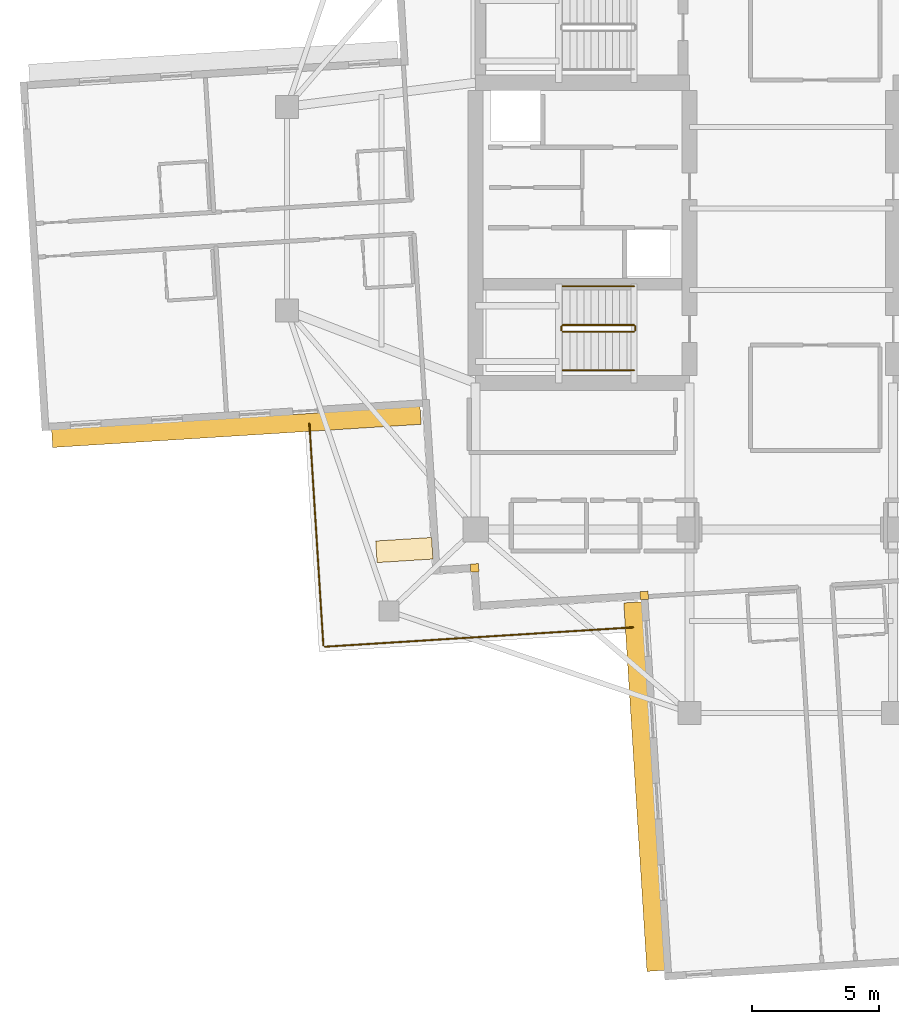
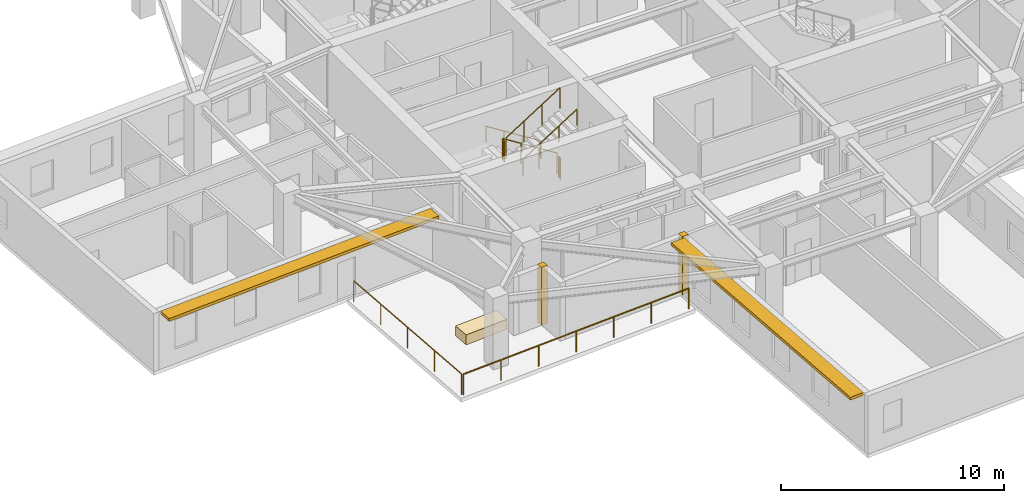
# One storey, part 9 of 12: 8 railings, 3 coverings, 2 shading devices.
"""IFC4 building model written with IfcOpenShell, lengths in metres."""

from ifc_helpers import new_model, si_unit, direction, frame, origin, origin_2d, place, context, subcontext, project, spatial, rectangle, circle, extrude, material, layer, layer_set, type_object, element, save


model = new_model("IFC4")

# Units and contexts
model_context = context("Model", 3, precision=1e-05, world=origin(), true_north=direction((0.0, 1.0)))
body_context = subcontext(model_context, "Body", "Model", "MODEL_VIEW")
ifc_project = project(units=[si_unit("LENGTHUNIT", "METRE"), si_unit("AREAUNIT", "SQUARE_METRE"), si_unit("VOLUMEUNIT", "CUBIC_METRE"), si_unit("PLANEANGLEUNIT", "RADIAN"), si_unit("MASSUNIT", "GRAM", prefix="KILO")], contexts=[model_context])

# Site, building, storey
site_placement = place(None, origin())
site = spatial("IfcSite", under=ifc_project, at=site_placement, CompositionType="ELEMENT")
building_placement = place(site_placement, origin())
building = spatial("IfcBuilding", under=site, at=building_placement, Name="Qingluan Cross Belvedere", CompositionType="ELEMENT")
storey_placement = place(building_placement, frame((0.0, 0.0, 209.10009765625)))
storey = spatial("IfcBuildingStorey", under=building, at=storey_placement, Name="L52", CompositionType="ELEMENT", Elevation=209.10009765625)

# Coverings
ifc_material_1 = material(Name="Precast concrete C45", Category="concrete")
ifc_layer_1 = layer(ifc_material_1, 0.1201171875, Name="ConcreteSpandrelCladding_120")
ifc_layer_set_1 = layer_set([ifc_layer_1], Name="Precast concrete C45")
covering_type_1 = type_object("IfcCoveringType", Name="ConcreteSpandrelCladding_120", PredefinedType="CLADDING", material=ifc_layer_set_1)
for number, where, z_axis, x_axis, name in (
    (1, (-12.438720703125, -14.10888671875, 0.0), (0.0, 0.0, 1.0), (0.998026728428, 0.062790519529, 0.0), "Corner closure L52-SW1"),
    (2, (-5.77734375, -15.192626953125, 0.0), (0.0, 0.0, 1.0), (0.998026728428, 0.062790519529, 0.0), "Corner closure L52-SW2"),
):
    element("IfcCovering", number, at=place(storey_placement, frame(where, z_axis=z_axis, x_axis=x_axis)), inside=storey, type_object=covering_type_1, Name=name, PredefinedType="CLADDING", context=body_context, shape_type="SweptSolid", body=[
        extrude(rectangle(XDim=0.320068359375, YDim=0.320068359375, at=origin_2d()), origin(), (0.0, 0.0, 1.0), 3.179931640625),
    ])

# Shading devices
ifc_material_2 = material(Name="Precast concrete C45", Category="concrete")
ifc_layer_2 = layer(ifc_material_2, 0.139892578125, Name="ConcreteSunshadeBand_700")
ifc_layer_set_2 = layer_set([ifc_layer_2], Name="Precast concrete C45")
shading_device_type = type_object("IfcShadingDeviceType", Name="ConcreteSunshadeBand_700", PredefinedType="USERDEFINED", material=ifc_layer_set_2)
for number, where, z_axis, x_axis, name in (
    (3, (-21.794677734375, -8.575439453125, 3.0), (0.0, 0.0, 1.0), (0.99802639199, 0.062795866837, 0.0), "Concrete SUNSHADE L52-WB"),
    (4, (-5.776123046875, -22.697509765625, 3.0), (0.0, 0.0, 1.0), (0.062789090939, -0.998026818306, 0.0), "Concrete SUNSHADE L52-SA"),
):
    element("IfcShadingDevice", number, at=place(storey_placement, frame(where, z_axis=z_axis, x_axis=x_axis)), inside=storey, type_object=shading_device_type, Name=name, ObjectType="SUNSHADE", PredefinedType="USERDEFINED", context=body_context, shape_type="SweptSolid", body=[
        extrude(rectangle(XDim=14.5, YDim=0.699951171875, at=origin_2d()), origin(), (0.0, 0.0, 1.0), 0.159912109375),
    ])

# Railings
ifc_material_3 = material(Name="Brushed stainless steel tubular handrail", Category="steel")
railing_type_1 = type_object("IfcRailingType", Name="StairPitchHandrail_900", PredefinedType="HANDRAIL", material=ifc_material_3)
railing_1_placement = place(storey_placement, frame((-6.179931640625, -3.050048828125, 0.17724609375)))
element("IfcRailing", 5, at=railing_1_placement, inside=storey, type_object=railing_type_1, Name="L52 ST1 stair handrail 1", PredefinedType="HANDRAIL", context=body_context, shape_type="SweptSolid", body=[
    extrude(circle(Radius=0.02392578125, at=origin_2d()), frame((0.0, 0.0, 0.8759765625), z_axis=(-0.844908973607, 0.0, 0.534910110503), x_axis=(0.0, -1.0, 0.0)), (0.0, 0.0, 1.0), 3.31396484375),
    extrude(circle(Radius=0.02099609375, at=origin_2d()), origin(), (0.0, 0.0, 1.0), 0.851806640625),
    extrude(circle(Radius=0.02099609375, at=origin_2d()), frame((-0.933349609375, 0.0, 0.5908203125)), (0.0, 0.0, 1.0), 0.851806640625),
    extrude(circle(Radius=0.02099609375, at=origin_2d()), frame((-1.86669921875, 0.0, 1.181884765625)), (0.0, 0.0, 1.0), 0.851806640625),
    extrude(circle(Radius=0.02099609375, at=origin_2d()), frame((-2.800048828125, 0.0, 1.772705078125)), (0.0, 0.0, 1.0), 0.851806640625),
])
railing_2_placement = place(storey_placement, frame((-8.97998046875, -6.35009765625, 2.127197265625)))
element("IfcRailing", 6, at=railing_2_placement, inside=storey, type_object=railing_type_1, Name="L52 ST1 stair handrail 2", PredefinedType="HANDRAIL", context=body_context, shape_type="SweptSolid", body=[
    extrude(circle(Radius=0.02392578125, at=origin_2d()), frame((0.0, 0.0, 0.8759765625), z_axis=(0.844908973607, 0.0, 0.534910110503), x_axis=(0.0, 1.0, 0.0)), (0.0, 0.0, 1.0), 3.31396484375),
    extrude(circle(Radius=0.02099609375, at=origin_2d()), origin(), (0.0, 0.0, 1.0), 0.851806640625),
    extrude(circle(Radius=0.02099609375, at=origin_2d()), frame((0.933349609375, 0.0, 0.5908203125)), (0.0, 0.0, 1.0), 0.851806640625),
    extrude(circle(Radius=0.02099609375, at=origin_2d()), frame((1.86669921875, 0.0, 1.181884765625)), (0.0, 0.0, 1.0), 0.851806640625),
    extrude(circle(Radius=0.02099609375, at=origin_2d()), frame((2.800048828125, 0.0, 1.772705078125)), (0.0, 0.0, 1.0), 0.851806640625),
])
ifc_material_4 = material(Name="Painted steel stair well guard", Category="steel")
railing_type_2 = type_object("IfcRailingType", Name="StairWellGuard_1150", PredefinedType="BALUSTRADE", material=ifc_material_4)
railing_3_placement = place(storey_placement, frame((-6.179931640625, -4.570068359375, 0.17724609375)))
element("IfcRailing", 7, at=railing_3_placement, inside=storey, type_object=railing_type_2, Name="L52 ST1 stair guard 1", PredefinedType="BALUSTRADE", context=body_context, shape_type="SweptSolid", body=[
    extrude(circle(Radius=0.02392578125, at=origin_2d()), frame((0.0, 0.0, 1.1259765625), z_axis=(-0.844908973607, 0.0, 0.534910110503), x_axis=(0.0, -1.0, 0.0)), (0.0, 0.0, 1.0), 3.31396484375),
    extrude(circle(Radius=0.02099609375, at=origin_2d()), origin(), (0.0, 0.0, 1.0), 1.101806640625),
    extrude(circle(Radius=0.02099609375, at=origin_2d()), frame((-0.933349609375, 0.0, 0.5908203125)), (0.0, 0.0, 1.0), 1.101806640625),
    extrude(circle(Radius=0.02099609375, at=origin_2d()), frame((-1.86669921875, 0.0, 1.181884765625)), (0.0, 0.0, 1.0), 1.101806640625),
    extrude(circle(Radius=0.02099609375, at=origin_2d()), frame((-2.800048828125, 0.0, 1.772705078125)), (0.0, 0.0, 1.0), 1.101806640625),
])
railing_4_placement = place(storey_placement, frame((-9.030029296875, -4.6201171875, 1.949951171875)))
element("IfcRailing", 8, at=railing_4_placement, inside=storey, type_object=railing_type_2, Name="L52 ST1 stair guard 2", PredefinedType="BALUSTRADE", context=body_context, shape_type="SweptSolid", body=[
    extrude(circle(Radius=0.02392578125, at=origin_2d()), frame((0.0, 0.0, 1.1259765625), z_axis=(0.0, -1.0, 0.0), x_axis=(1.0, 0.0, 0.0)), (0.0, 0.0, 1.0), 0.159912109375),
    extrude(circle(Radius=0.02099609375, at=origin_2d()), origin(), (0.0, 0.0, 1.0), 1.101806640625),
    extrude(circle(Radius=0.02099609375, at=origin_2d()), frame((0.0, -0.159912109375, 0.0)), (0.0, 0.0, 1.0), 1.101806640625),
])
railing_5_placement = place(storey_placement, frame((-8.97998046875, -4.830078125, 2.127197265625)))
element("IfcRailing", 9, at=railing_5_placement, inside=storey, type_object=railing_type_2, Name="L52 ST1 stair guard 3", PredefinedType="BALUSTRADE", context=body_context, shape_type="SweptSolid", body=[
    extrude(circle(Radius=0.02392578125, at=origin_2d()), frame((0.0, 0.0, 1.1259765625), z_axis=(0.844908973607, 0.0, 0.534910110503), x_axis=(0.0, 1.0, 0.0)), (0.0, 0.0, 1.0), 3.31396484375),
    extrude(circle(Radius=0.02099609375, at=origin_2d()), origin(), (0.0, 0.0, 1.0), 1.101806640625),
    extrude(circle(Radius=0.02099609375, at=origin_2d()), frame((0.933349609375, 0.0, 0.5908203125)), (0.0, 0.0, 1.0), 1.101806640625),
    extrude(circle(Radius=0.02099609375, at=origin_2d()), frame((1.86669921875, 0.0, 1.181884765625)), (0.0, 0.0, 1.0), 1.101806640625),
    extrude(circle(Radius=0.02099609375, at=origin_2d()), frame((2.800048828125, 0.0, 1.772705078125)), (0.0, 0.0, 1.0), 1.101806640625),
])
railing_6_placement = place(storey_placement, frame((-6.1298828125, -4.6201171875, 0.0)))
element("IfcRailing", 10, at=railing_6_placement, inside=storey, type_object=railing_type_2, Name="L52 ST1 stair guard 4", PredefinedType="BALUSTRADE", context=body_context, shape_type="SweptSolid", body=[
    extrude(circle(Radius=0.02392578125, at=origin_2d()), frame((0.0, 0.0, 1.1259765625), z_axis=(0.0, -1.0, 0.0), x_axis=(1.0, 0.0, 0.0)), (0.0, 0.0, 1.0), 0.159912109375),
    extrude(circle(Radius=0.02099609375, at=origin_2d()), origin(), (0.0, 0.0, 1.0), 1.101806640625),
    extrude(circle(Radius=0.02099609375, at=origin_2d()), frame((0.0, -0.159912109375, 0.0)), (0.0, 0.0, 1.0), 1.101806640625),
])
ifc_material_5 = material(Name="Laminated glass and stainless steel balustrade", Category="steel")
railing_type_3 = type_object("IfcRailingType", Name="TerraceGuardBalustrade_1150", PredefinedType="BALUSTRADE", material=ifc_material_5)
railing_7_placement = place(storey_placement, frame((-6.2197265625, -16.443115234375, 0.0)))
element("IfcRailing", 11, at=railing_7_placement, inside=storey, type_object=railing_type_3, Name="Terrace guard L52-1", PredefinedType="BALUSTRADE", context=body_context, shape_type="SweptSolid", body=[
    extrude(circle(Radius=0.02392578125, at=origin_2d()), frame((0.0, 0.0, 1.1259765625), z_axis=(-0.998026943148, -0.062787106563, 0.0), x_axis=(0.062787106563, -0.998026943148, 0.0)), (0.0, 0.0, 1.0), 12.1201171875),
    extrude(circle(Radius=0.02099609375, at=origin_2d()), origin(), (0.0, 0.0, 1.0), 1.101806640625),
    extrude(circle(Radius=0.02099609375, at=origin_2d()), frame((-2.01611328125, -0.126953125, 0.0)), (0.0, 0.0, 1.0), 1.101806640625),
    extrude(circle(Radius=0.02099609375, at=origin_2d()), frame((-4.031982421875, -0.253662109375, 0.0)), (0.0, 0.0, 1.0), 1.101806640625),
    extrude(circle(Radius=0.02099609375, at=origin_2d()), frame((-6.048095703125, -0.38037109375, 0.0)), (0.0, 0.0, 1.0), 1.101806640625),
    extrude(circle(Radius=0.02099609375, at=origin_2d()), frame((-8.064208984375, -0.50732421875, 0.0)), (0.0, 0.0, 1.0), 1.101806640625),
    extrude(circle(Radius=0.02099609375, at=origin_2d()), frame((-10.080078125, -0.63427734375, 0.0)), (0.0, 0.0, 1.0), 1.101806640625),
    extrude(circle(Radius=0.02099609375, at=origin_2d()), frame((-12.09619140625, -0.760986328125, 0.0)), (0.0, 0.0, 1.0), 1.101806640625),
])
railing_8_placement = place(storey_placement, frame((-18.37939453125, -17.14794921875, 0.0)))
element("IfcRailing", 12, at=railing_8_placement, inside=storey, type_object=railing_type_3, Name="Terrace guard L52-2", PredefinedType="BALUSTRADE", context=body_context, shape_type="SweptSolid", body=[
    extrude(circle(Radius=0.02392578125, at=origin_2d()), frame((0.0, 0.0, 1.1259765625), z_axis=(-0.062798351797, 0.998026235633, 0.0), x_axis=(-0.998026235633, -0.062798351797, 0.0)), (0.0, 0.0, 1.0), 8.719970703125),
    extrude(circle(Radius=0.02099609375, at=origin_2d()), origin(), (0.0, 0.0, 1.0), 1.101806640625),
    extrude(circle(Radius=0.02099609375, at=origin_2d()), frame((-0.136962890625, 2.17578125, 0.0)), (0.0, 0.0, 1.0), 1.101806640625),
    extrude(circle(Radius=0.02099609375, at=origin_2d()), frame((-0.27392578125, 4.3515625, 0.0)), (0.0, 0.0, 1.0), 1.101806640625),
    extrude(circle(Radius=0.02099609375, at=origin_2d()), frame((-0.41064453125, 6.527099609375, 0.0)), (0.0, 0.0, 1.0), 1.101806640625),
    extrude(circle(Radius=0.02099609375, at=origin_2d()), frame((-0.547607421875, 8.702880859375, 0.0)), (0.0, 0.0, 1.0), 1.101806640625),
])

# Covering
ifc_material_6 = material(Name="Precast concrete C40", Category="concrete")
ifc_layer_3 = layer(ifc_material_6, 0.550048828125, Name="TerracePlanterBox")
ifc_layer_set_3 = layer_set([ifc_layer_3], Name="Precast concrete C40")
covering_type_2 = type_object("IfcCoveringType", Name="TerracePlanterBox", PredefinedType="USERDEFINED", material=ifc_layer_set_3)
covering_placement = place(storey_placement, frame((-15.197998046875, -13.406005859375, 0.0), z_axis=(0.0, 0.0, 1.0), x_axis=(0.998026728428, 0.062790519529, 0.0)))
element("IfcCovering", 13, at=covering_placement, inside=storey, type_object=covering_type_2, Name="Spiralling winter-garden planter L52", ObjectType="PLANTER", PredefinedType="USERDEFINED", context=body_context, shape_type="SweptSolid", body=[
    extrude(rectangle(XDim=2.199951171875, YDim=0.85009765625, at=origin_2d()), origin(), (0.0, 0.0, 1.0), 0.550048828125),
])

save(model, "model.ifc")
